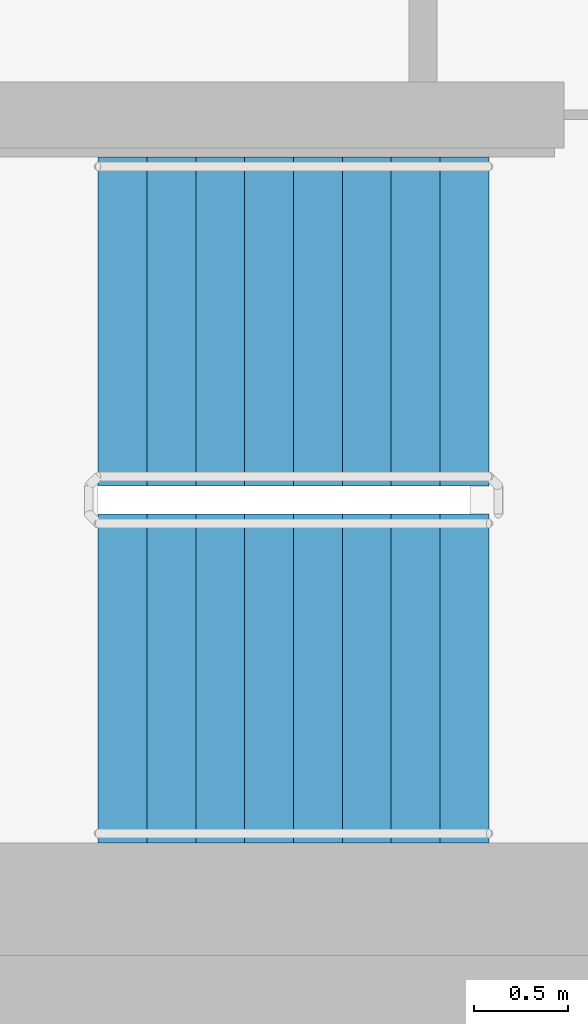
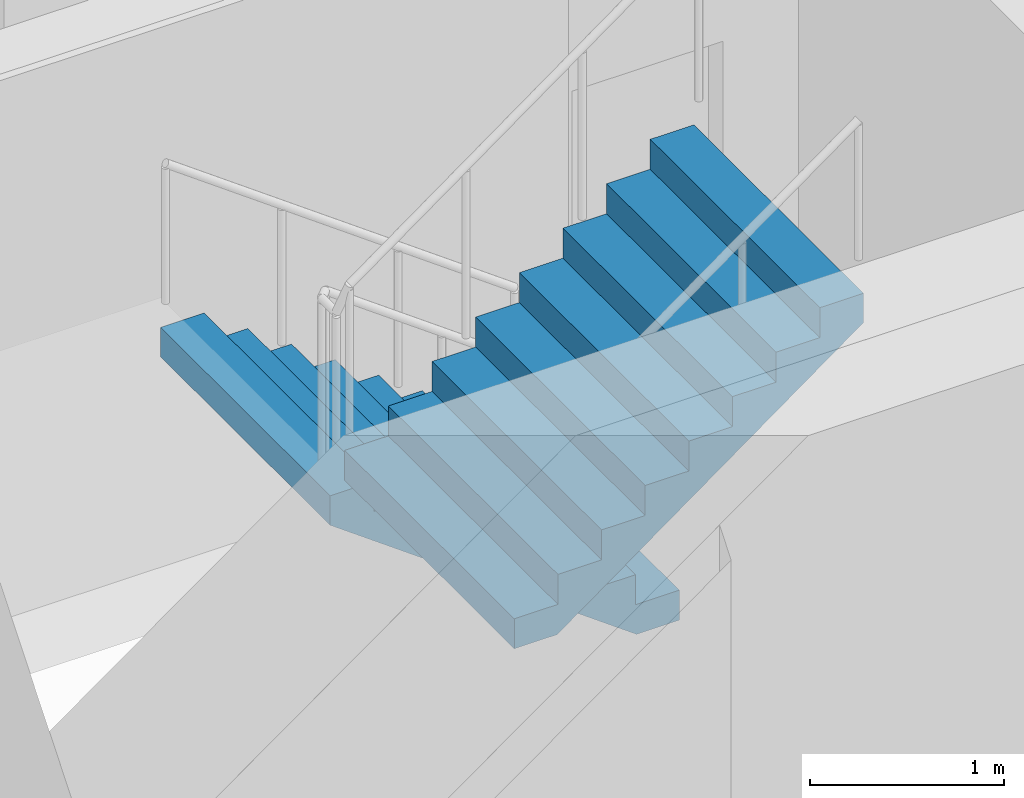
# One storey, part 12 of 18: 2 stair flights, 1 element without a shape of its own.
"""IFC4 building model written with IfcOpenShell, lengths in metres."""

from ifc_helpers import new_model, si_unit, direction, frame, origin, place, context, subcontext, project, spatial, faceted_brep, material, type_object, element, aggregate, save


model = new_model("IFC4")

# Units and contexts
model_context = context("Model", 3, precision=1e-05, world=origin(), true_north=direction((0.0, 1.0)))
body_context = subcontext(model_context, "Body", "Model", "MODEL_VIEW")
ifc_project = project(units=[si_unit("LENGTHUNIT", "METRE"), si_unit("AREAUNIT", "SQUARE_METRE"), si_unit("VOLUMEUNIT", "CUBIC_METRE"), si_unit("PLANEANGLEUNIT", "RADIAN"), si_unit("MASSUNIT", "GRAM", prefix="KILO")], contexts=[model_context])

# Site, building, storey
site_placement = place(None, origin())
site = spatial("IfcSite", under=ifc_project, at=site_placement, CompositionType="ELEMENT")
building_placement = place(site_placement, origin())
building = spatial("IfcBuilding", under=site, at=building_placement, Name="Ipe Terrace Towers", CompositionType="ELEMENT")
storey_placement = place(building_placement, frame((0.0, 0.0, 202.800048828125)))
storey = spatial("IfcBuildingStorey", under=building, at=storey_placement, Name="L56", CompositionType="ELEMENT", Elevation=202.800048828125)

# Stair, stair flights
ifc_material_1 = material(Name="Concrete C30/37", Category="concrete")
stair_type = type_object("IfcStairType", Name="Protected exit stair", PredefinedType="HALF_TURN_STAIR", material=ifc_material_1)
stair_placement = place(storey_placement, origin())
stair = element("IfcStair", 1, at=stair_placement, inside=storey, type_object=stair_type, Name="L56 Exit stair T1-C2", PredefinedType="HALF_TURN_STAIR")
ifc_material_2 = material(Name="Concrete C30/37", Category="concrete")
stair_flight_type = type_object("IfcStairFlightType", Name="Exit stair flight 1750", PredefinedType="STRAIGHT", material=ifc_material_2)
stair_flight_1_placement = place(storey_placement, frame((-45.699951171875, -2.77490234375, 0.0), z_axis=(0.0, 0.0, 1.0), x_axis=(-1.0, 0.0, 0.0)))
stair_flight_1 = element("IfcStairFlight", 2, at=stair_flight_1_placement, type_object=stair_flight_type, Name="T1-ST2 flight 1", NumberOfRisers=9, NumberOfTreads=8, PredefinedType="STRAIGHT", RiserHeight=0.188888889, TreadLength=0.26, context=body_context, shape_type="Brep", body=[
    faceted_brep([(0.255126953125, -0.875, 0.0), (2.080078125, -0.875, 1.325927734375), (2.080078125, -0.875, 1.51123046875), (1.820068359375, -0.875, 1.51123046875), (1.820068359375, -0.875, 1.322265625), (1.56005859375, -0.875, 1.322265625), (1.56005859375, -0.875, 1.13330078125), (1.300048828125, -0.875, 1.13330078125), (1.300048828125, -0.875, 0.9443359375), (1.0400390625, -0.875, 0.9443359375), (1.0400390625, -0.875, 0.755615234375), (0.780029296875, -0.875, 0.755615234375), (0.780029296875, -0.875, 0.566650390625), (0.52001953125, -0.875, 0.566650390625), (0.52001953125, -0.875, 0.377685546875), (0.260009765625, -0.875, 0.377685546875), (0.260009765625, -0.875, 0.18896484375), (0.0, -0.875, 0.18896484375), (0.0, -0.875, 0.0), (0.0, 0.875, 0.0), (0.0, 0.875, 0.18896484375), (0.260009765625, 0.875, 0.18896484375), (0.260009765625, 0.875, 0.377685546875), (0.52001953125, 0.875, 0.377685546875), (0.52001953125, 0.875, 0.566650390625), (0.780029296875, 0.875, 0.566650390625), (0.780029296875, 0.875, 0.755615234375), (1.0400390625, 0.875, 0.755615234375), (1.0400390625, 0.875, 0.9443359375), (1.300048828125, 0.875, 0.9443359375), (1.300048828125, 0.875, 1.13330078125), (1.56005859375, 0.875, 1.13330078125), (1.56005859375, 0.875, 1.322265625), (1.820068359375, 0.875, 1.322265625), (1.820068359375, 0.875, 1.51123046875), (2.080078125, 0.875, 1.51123046875), (2.080078125, 0.875, 1.325927734375), (0.255126953125, 0.875, 0.0), (0.0, -0.300048828125, 0.18896484375), (0.0, -0.1201171875, 0.18896484375), (0.0, -0.06005859375, 0.18896484375), (0.0, -0.030029296875, 0.18896484375), (0.0, -0.010009765625, 0.18896484375), (0.0, 0.0, 0.18896484375), (0.0, 0.010009765625, 0.18896484375), (0.0, 0.030029296875, 0.18896484375), (0.0, 0.06005859375, 0.18896484375), (0.0, 0.1201171875, 0.18896484375), (0.0, 0.300048828125, 0.18896484375), (0.0, 0.300048828125, 0.0), (0.0, 0.1201171875, 0.0), (0.0, 0.06005859375, 0.0), (0.0, 0.030029296875, 0.0), (0.0, 0.010009765625, 0.0), (0.0, 0.0, 0.0), (0.0, -0.010009765625, 0.0), (0.0, -0.030029296875, 0.0), (0.0, -0.06005859375, 0.0), (0.0, -0.1201171875, 0.0), (0.0, -0.300048828125, 0.0), (0.260009765625, -0.300048828125, 0.18896484375), (0.260009765625, -0.1201171875, 0.18896484375), (0.260009765625, -0.06005859375, 0.18896484375), (0.260009765625, -0.030029296875, 0.18896484375), (0.260009765625, -0.010009765625, 0.18896484375), (0.260009765625, 0.0, 0.18896484375), (0.260009765625, 0.010009765625, 0.18896484375), (0.260009765625, 0.030029296875, 0.18896484375), (0.260009765625, 0.06005859375, 0.18896484375), (0.260009765625, 0.1201171875, 0.18896484375), (0.260009765625, 0.300048828125, 0.18896484375), (0.260009765625, -0.300048828125, 0.377685546875), (0.260009765625, -0.1201171875, 0.377685546875), (0.260009765625, -0.06005859375, 0.377685546875), (0.260009765625, -0.030029296875, 0.377685546875), (0.260009765625, -0.010009765625, 0.377685546875), (0.260009765625, 0.0, 0.377685546875), (0.260009765625, 0.010009765625, 0.377685546875), (0.260009765625, 0.030029296875, 0.377685546875), (0.260009765625, 0.06005859375, 0.377685546875), (0.260009765625, 0.1201171875, 0.377685546875), (0.260009765625, 0.300048828125, 0.377685546875), (0.52001953125, -0.300048828125, 0.377685546875), (0.52001953125, -0.1201171875, 0.377685546875), (0.52001953125, -0.06005859375, 0.377685546875), (0.52001953125, -0.030029296875, 0.377685546875), (0.52001953125, -0.010009765625, 0.377685546875), (0.52001953125, 0.0, 0.377685546875), (0.52001953125, 0.010009765625, 0.377685546875), (0.52001953125, 0.030029296875, 0.377685546875), (0.52001953125, 0.06005859375, 0.377685546875), (0.52001953125, 0.1201171875, 0.377685546875), (0.52001953125, 0.300048828125, 0.377685546875), (0.52001953125, -0.300048828125, 0.566650390625), (0.52001953125, -0.1201171875, 0.566650390625), (0.52001953125, -0.06005859375, 0.566650390625), (0.52001953125, -0.030029296875, 0.566650390625), (0.52001953125, -0.010009765625, 0.566650390625), (0.52001953125, 0.0, 0.566650390625), (0.52001953125, 0.010009765625, 0.566650390625), (0.52001953125, 0.030029296875, 0.566650390625), (0.52001953125, 0.06005859375, 0.566650390625), (0.52001953125, 0.1201171875, 0.566650390625), (0.52001953125, 0.300048828125, 0.566650390625), (0.780029296875, -0.300048828125, 0.566650390625), (0.780029296875, -0.1201171875, 0.566650390625), (0.780029296875, -0.06005859375, 0.566650390625), (0.780029296875, -0.030029296875, 0.566650390625), (0.780029296875, -0.010009765625, 0.566650390625), (0.780029296875, 0.0, 0.566650390625), (0.780029296875, 0.010009765625, 0.566650390625), (0.780029296875, 0.030029296875, 0.566650390625), (0.780029296875, 0.06005859375, 0.566650390625), (0.780029296875, 0.1201171875, 0.566650390625), (0.780029296875, 0.300048828125, 0.566650390625), (0.780029296875, -0.300048828125, 0.755615234375), (0.780029296875, -0.1201171875, 0.755615234375), (0.780029296875, -0.06005859375, 0.755615234375), (0.780029296875, -0.030029296875, 0.755615234375), (0.780029296875, -0.010009765625, 0.755615234375), (0.780029296875, 0.0, 0.755615234375), (0.780029296875, 0.010009765625, 0.755615234375), (0.780029296875, 0.030029296875, 0.755615234375), (0.780029296875, 0.06005859375, 0.755615234375), (0.780029296875, 0.1201171875, 0.755615234375), (0.780029296875, 0.300048828125, 0.755615234375), (1.0400390625, -0.300048828125, 0.755615234375), (1.0400390625, -0.1201171875, 0.755615234375), (1.0400390625, -0.06005859375, 0.755615234375), (1.0400390625, -0.030029296875, 0.755615234375), (1.0400390625, -0.010009765625, 0.755615234375), (1.0400390625, 0.0, 0.755615234375), (1.0400390625, 0.010009765625, 0.755615234375), (1.0400390625, 0.030029296875, 0.755615234375), (1.0400390625, 0.06005859375, 0.755615234375), (1.0400390625, 0.1201171875, 0.755615234375), (1.0400390625, 0.300048828125, 0.755615234375), (1.0400390625, -0.300048828125, 0.9443359375), (1.0400390625, -0.1201171875, 0.9443359375), (1.0400390625, -0.06005859375, 0.9443359375), (1.0400390625, -0.030029296875, 0.9443359375), (1.0400390625, -0.010009765625, 0.9443359375), (1.0400390625, 0.0, 0.9443359375), (1.0400390625, 0.010009765625, 0.9443359375), (1.0400390625, 0.030029296875, 0.9443359375), (1.0400390625, 0.06005859375, 0.9443359375), (1.0400390625, 0.1201171875, 0.9443359375), (1.0400390625, 0.300048828125, 0.9443359375), (1.300048828125, -0.300048828125, 0.9443359375), (1.300048828125, -0.1201171875, 0.9443359375), (1.300048828125, -0.06005859375, 0.9443359375), (1.300048828125, -0.030029296875, 0.9443359375), (1.300048828125, -0.010009765625, 0.9443359375), (1.300048828125, 0.0, 0.9443359375), (1.300048828125, 0.010009765625, 0.9443359375), (1.300048828125, 0.030029296875, 0.9443359375), (1.300048828125, 0.06005859375, 0.9443359375), (1.300048828125, 0.1201171875, 0.9443359375), (1.300048828125, 0.300048828125, 0.9443359375), (1.300048828125, -0.300048828125, 1.13330078125), (1.300048828125, -0.1201171875, 1.13330078125), (1.300048828125, -0.06005859375, 1.13330078125), (1.300048828125, -0.030029296875, 1.13330078125), (1.300048828125, -0.010009765625, 1.13330078125), (1.300048828125, 0.0, 1.13330078125), (1.300048828125, 0.010009765625, 1.13330078125), (1.300048828125, 0.030029296875, 1.13330078125), (1.300048828125, 0.06005859375, 1.13330078125), (1.300048828125, 0.1201171875, 1.13330078125), (1.300048828125, 0.300048828125, 1.13330078125), (1.56005859375, -0.300048828125, 1.13330078125), (1.56005859375, -0.1201171875, 1.13330078125), (1.56005859375, -0.06005859375, 1.13330078125), (1.56005859375, -0.030029296875, 1.13330078125), (1.56005859375, -0.010009765625, 1.13330078125), (1.56005859375, 0.0, 1.13330078125), (1.56005859375, 0.010009765625, 1.13330078125), (1.56005859375, 0.030029296875, 1.13330078125), (1.56005859375, 0.06005859375, 1.13330078125), (1.56005859375, 0.1201171875, 1.13330078125), (1.56005859375, 0.300048828125, 1.13330078125), (1.56005859375, -0.300048828125, 1.322265625), (1.56005859375, -0.1201171875, 1.322265625), (1.56005859375, -0.06005859375, 1.322265625), (1.56005859375, -0.030029296875, 1.322265625), (1.56005859375, -0.010009765625, 1.322265625), (1.56005859375, 0.0, 1.322265625), (1.56005859375, 0.010009765625, 1.322265625), (1.56005859375, 0.030029296875, 1.322265625), (1.56005859375, 0.06005859375, 1.322265625), (1.56005859375, 0.1201171875, 1.322265625), (1.56005859375, 0.300048828125, 1.322265625), (1.820068359375, -0.300048828125, 1.322265625), (1.820068359375, -0.1201171875, 1.322265625), (1.820068359375, -0.06005859375, 1.322265625), (1.820068359375, -0.030029296875, 1.322265625), (1.820068359375, -0.010009765625, 1.322265625), (1.820068359375, 0.0, 1.322265625), (1.820068359375, 0.010009765625, 1.322265625), (1.820068359375, 0.030029296875, 1.322265625), (1.820068359375, 0.06005859375, 1.322265625), (1.820068359375, 0.1201171875, 1.322265625), (1.820068359375, 0.300048828125, 1.322265625), (1.820068359375, -0.300048828125, 1.51123046875), (1.820068359375, -0.1201171875, 1.51123046875), (1.820068359375, -0.06005859375, 1.51123046875), (1.820068359375, -0.030029296875, 1.51123046875), (1.820068359375, -0.010009765625, 1.51123046875), (1.820068359375, 0.0, 1.51123046875), (1.820068359375, 0.010009765625, 1.51123046875), (1.820068359375, 0.030029296875, 1.51123046875), (1.820068359375, 0.06005859375, 1.51123046875), (1.820068359375, 0.1201171875, 1.51123046875), (1.820068359375, 0.300048828125, 1.51123046875), (2.080078125, -0.300048828125, 1.51123046875), (2.080078125, -0.1201171875, 1.51123046875), (2.080078125, -0.06005859375, 1.51123046875), (2.080078125, -0.030029296875, 1.51123046875), (2.080078125, -0.010009765625, 1.51123046875), (2.080078125, 0.0, 1.51123046875), (2.080078125, 0.010009765625, 1.51123046875), (2.080078125, 0.030029296875, 1.51123046875), (2.080078125, 0.06005859375, 1.51123046875), (2.080078125, 0.1201171875, 1.51123046875), (2.080078125, 0.300048828125, 1.51123046875), (2.080078125, -0.300048828125, 1.325927734375), (2.080078125, -0.1201171875, 1.325927734375), (2.080078125, -0.06005859375, 1.325927734375), (2.080078125, -0.030029296875, 1.325927734375), (2.080078125, -0.010009765625, 1.325927734375), (2.080078125, 0.0, 1.325927734375), (2.080078125, 0.010009765625, 1.325927734375), (2.080078125, 0.030029296875, 1.325927734375), (2.080078125, 0.06005859375, 1.325927734375), (2.080078125, 0.1201171875, 1.325927734375), (2.080078125, 0.300048828125, 1.325927734375), (0.255126953125, -0.300048828125, 0.0), (0.255126953125, -0.1201171875, 0.0), (0.255126953125, -0.06005859375, 0.0), (0.255126953125, -0.030029296875, 0.0), (0.255126953125, -0.010009765625, 0.0), (0.255126953125, 0.0, 0.0), (0.255126953125, 0.010009765625, 0.0), (0.255126953125, 0.030029296875, 0.0), (0.255126953125, 0.06005859375, 0.0), (0.255126953125, 0.1201171875, 0.0), (0.255126953125, 0.300048828125, 0.0)], [[[0, 1, 2, 3, 4, 5, 6, 7, 8, 9, 10, 11, 12, 13, 14, 15, 16, 17, 18]], [[19, 20, 21, 22, 23, 24, 25, 26, 27, 28, 29, 30, 31, 32, 33, 34, 35, 36, 37]], [[17, 38, 39, 40, 41, 42, 43, 44, 45, 46, 47, 48, 20, 19, 49, 50, 51, 52, 53, 54, 55, 56, 57, 58, 59, 18]], [[16, 60, 61, 62, 63, 64, 65, 66, 67, 68, 69, 70, 21, 20, 48, 47, 46, 45, 44, 43, 42, 41, 40, 39, 38, 17]], [[15, 71, 72, 73, 74, 75, 76, 77, 78, 79, 80, 81, 22, 21, 70, 69, 68, 67, 66, 65, 64, 63, 62, 61, 60, 16]], [[14, 82, 83, 84, 85, 86, 87, 88, 89, 90, 91, 92, 23, 22, 81, 80, 79, 78, 77, 76, 75, 74, 73, 72, 71, 15]], [[13, 93, 94, 95, 96, 97, 98, 99, 100, 101, 102, 103, 24, 23, 92, 91, 90, 89, 88, 87, 86, 85, 84, 83, 82, 14]], [[12, 104, 105, 106, 107, 108, 109, 110, 111, 112, 113, 114, 25, 24, 103, 102, 101, 100, 99, 98, 97, 96, 95, 94, 93, 13]], [[11, 115, 116, 117, 118, 119, 120, 121, 122, 123, 124, 125, 26, 25, 114, 113, 112, 111, 110, 109, 108, 107, 106, 105, 104, 12]], [[10, 126, 127, 128, 129, 130, 131, 132, 133, 134, 135, 136, 27, 26, 125, 124, 123, 122, 121, 120, 119, 118, 117, 116, 115, 11]], [[9, 137, 138, 139, 140, 141, 142, 143, 144, 145, 146, 147, 28, 27, 136, 135, 134, 133, 132, 131, 130, 129, 128, 127, 126, 10]], [[8, 148, 149, 150, 151, 152, 153, 154, 155, 156, 157, 158, 29, 28, 147, 146, 145, 144, 143, 142, 141, 140, 139, 138, 137, 9]], [[7, 159, 160, 161, 162, 163, 164, 165, 166, 167, 168, 169, 30, 29, 158, 157, 156, 155, 154, 153, 152, 151, 150, 149, 148, 8]], [[6, 170, 171, 172, 173, 174, 175, 176, 177, 178, 179, 180, 31, 30, 169, 168, 167, 166, 165, 164, 163, 162, 161, 160, 159, 7]], [[5, 181, 182, 183, 184, 185, 186, 187, 188, 189, 190, 191, 32, 31, 180, 179, 178, 177, 176, 175, 174, 173, 172, 171, 170, 6]], [[4, 192, 193, 194, 195, 196, 197, 198, 199, 200, 201, 202, 33, 32, 191, 190, 189, 188, 187, 186, 185, 184, 183, 182, 181, 5]], [[3, 203, 204, 205, 206, 207, 208, 209, 210, 211, 212, 213, 34, 33, 202, 201, 200, 199, 198, 197, 196, 195, 194, 193, 192, 4]], [[2, 214, 215, 216, 217, 218, 219, 220, 221, 222, 223, 224, 35, 34, 213, 212, 211, 210, 209, 208, 207, 206, 205, 204, 203, 3]], [[1, 225, 226, 227, 228, 229, 230, 231, 232, 233, 234, 235, 36, 35, 224, 223, 222, 221, 220, 219, 218, 217, 216, 215, 214, 2]], [[0, 236, 237, 238, 239, 240, 241, 242, 243, 244, 245, 246, 37, 36, 235, 234, 233, 232, 231, 230, 229, 228, 227, 226, 225, 1]], [[18, 59, 58, 57, 56, 55, 54, 53, 52, 51, 50, 49, 19, 37, 246, 245, 244, 243, 242, 241, 240, 239, 238, 237, 236, 0]]]),
])
stair_flight_2_placement = place(storey_placement, frame((-47.780029296875, -4.675048828125, 1.699951171875), z_axis=(0.0, 0.0, 1.0), x_axis=(1.0, 0.0, 0.0)))
stair_flight_2 = element("IfcStairFlight", 3, at=stair_flight_2_placement, type_object=stair_flight_type, Name="T1-ST2 flight 2", NumberOfRisers=9, NumberOfTreads=8, PredefinedType="STRAIGHT", RiserHeight=0.188888889, TreadLength=0.26, context=body_context, shape_type="Brep", body=[
    faceted_brep([(0.255126953125, -0.875, 0.0), (2.080078125, -0.875, 1.325927734375), (2.080078125, -0.875, 1.51123046875), (1.820068359375, -0.875, 1.51123046875), (1.820068359375, -0.875, 1.322265625), (1.56005859375, -0.875, 1.322265625), (1.56005859375, -0.875, 1.13330078125), (1.300048828125, -0.875, 1.13330078125), (1.300048828125, -0.875, 0.9443359375), (1.0400390625, -0.875, 0.9443359375), (1.0400390625, -0.875, 0.755615234375), (0.780029296875, -0.875, 0.755615234375), (0.780029296875, -0.875, 0.566650390625), (0.52001953125, -0.875, 0.566650390625), (0.52001953125, -0.875, 0.377685546875), (0.260009765625, -0.875, 0.377685546875), (0.260009765625, -0.875, 0.18896484375), (0.0, -0.875, 0.18896484375), (0.0, -0.875, 0.0), (0.0, 0.875, 0.0), (0.0, 0.875, 0.18896484375), (0.260009765625, 0.875, 0.18896484375), (0.260009765625, 0.875, 0.377685546875), (0.52001953125, 0.875, 0.377685546875), (0.52001953125, 0.875, 0.566650390625), (0.780029296875, 0.875, 0.566650390625), (0.780029296875, 0.875, 0.755615234375), (1.0400390625, 0.875, 0.755615234375), (1.0400390625, 0.875, 0.9443359375), (1.300048828125, 0.875, 0.9443359375), (1.300048828125, 0.875, 1.13330078125), (1.56005859375, 0.875, 1.13330078125), (1.56005859375, 0.875, 1.322265625), (1.820068359375, 0.875, 1.322265625), (1.820068359375, 0.875, 1.51123046875), (2.080078125, 0.875, 1.51123046875), (2.080078125, 0.875, 1.325927734375), (0.255126953125, 0.875, 0.0), (0.0, -0.300048828125, 0.18896484375), (0.0, -0.1201171875, 0.18896484375), (0.0, -0.06005859375, 0.18896484375), (0.0, -0.030029296875, 0.18896484375), (0.0, -0.010009765625, 0.18896484375), (0.0, 0.0, 0.18896484375), (0.0, 0.010009765625, 0.18896484375), (0.0, 0.030029296875, 0.18896484375), (0.0, 0.06005859375, 0.18896484375), (0.0, 0.1201171875, 0.18896484375), (0.0, 0.300048828125, 0.18896484375), (0.0, 0.300048828125, 0.0), (0.0, 0.1201171875, 0.0), (0.0, 0.06005859375, 0.0), (0.0, 0.030029296875, 0.0), (0.0, 0.010009765625, 0.0), (0.0, 0.0, 0.0), (0.0, -0.010009765625, 0.0), (0.0, -0.030029296875, 0.0), (0.0, -0.06005859375, 0.0), (0.0, -0.1201171875, 0.0), (0.0, -0.300048828125, 0.0), (0.260009765625, -0.300048828125, 0.18896484375), (0.260009765625, -0.1201171875, 0.18896484375), (0.260009765625, -0.06005859375, 0.18896484375), (0.260009765625, -0.030029296875, 0.18896484375), (0.260009765625, -0.010009765625, 0.18896484375), (0.260009765625, 0.0, 0.18896484375), (0.260009765625, 0.010009765625, 0.18896484375), (0.260009765625, 0.030029296875, 0.18896484375), (0.260009765625, 0.06005859375, 0.18896484375), (0.260009765625, 0.1201171875, 0.18896484375), (0.260009765625, 0.300048828125, 0.18896484375), (0.260009765625, -0.300048828125, 0.377685546875), (0.260009765625, -0.1201171875, 0.377685546875), (0.260009765625, -0.06005859375, 0.377685546875), (0.260009765625, -0.030029296875, 0.377685546875), (0.260009765625, -0.010009765625, 0.377685546875), (0.260009765625, 0.0, 0.377685546875), (0.260009765625, 0.010009765625, 0.377685546875), (0.260009765625, 0.030029296875, 0.377685546875), (0.260009765625, 0.06005859375, 0.377685546875), (0.260009765625, 0.1201171875, 0.377685546875), (0.260009765625, 0.300048828125, 0.377685546875), (0.52001953125, -0.300048828125, 0.377685546875), (0.52001953125, -0.1201171875, 0.377685546875), (0.52001953125, -0.06005859375, 0.377685546875), (0.52001953125, -0.030029296875, 0.377685546875), (0.52001953125, -0.010009765625, 0.377685546875), (0.52001953125, 0.0, 0.377685546875), (0.52001953125, 0.010009765625, 0.377685546875), (0.52001953125, 0.030029296875, 0.377685546875), (0.52001953125, 0.06005859375, 0.377685546875), (0.52001953125, 0.1201171875, 0.377685546875), (0.52001953125, 0.300048828125, 0.377685546875), (0.52001953125, -0.300048828125, 0.566650390625), (0.52001953125, -0.1201171875, 0.566650390625), (0.52001953125, -0.06005859375, 0.566650390625), (0.52001953125, -0.030029296875, 0.566650390625), (0.52001953125, -0.010009765625, 0.566650390625), (0.52001953125, 0.0, 0.566650390625), (0.52001953125, 0.010009765625, 0.566650390625), (0.52001953125, 0.030029296875, 0.566650390625), (0.52001953125, 0.06005859375, 0.566650390625), (0.52001953125, 0.1201171875, 0.566650390625), (0.52001953125, 0.300048828125, 0.566650390625), (0.780029296875, -0.300048828125, 0.566650390625), (0.780029296875, -0.1201171875, 0.566650390625), (0.780029296875, -0.06005859375, 0.566650390625), (0.780029296875, -0.030029296875, 0.566650390625), (0.780029296875, -0.010009765625, 0.566650390625), (0.780029296875, 0.0, 0.566650390625), (0.780029296875, 0.010009765625, 0.566650390625), (0.780029296875, 0.030029296875, 0.566650390625), (0.780029296875, 0.06005859375, 0.566650390625), (0.780029296875, 0.1201171875, 0.566650390625), (0.780029296875, 0.300048828125, 0.566650390625), (0.780029296875, -0.300048828125, 0.755615234375), (0.780029296875, -0.1201171875, 0.755615234375), (0.780029296875, -0.06005859375, 0.755615234375), (0.780029296875, -0.030029296875, 0.755615234375), (0.780029296875, -0.010009765625, 0.755615234375), (0.780029296875, 0.0, 0.755615234375), (0.780029296875, 0.010009765625, 0.755615234375), (0.780029296875, 0.030029296875, 0.755615234375), (0.780029296875, 0.06005859375, 0.755615234375), (0.780029296875, 0.1201171875, 0.755615234375), (0.780029296875, 0.300048828125, 0.755615234375), (1.0400390625, -0.300048828125, 0.755615234375), (1.0400390625, -0.1201171875, 0.755615234375), (1.0400390625, -0.06005859375, 0.755615234375), (1.0400390625, -0.030029296875, 0.755615234375), (1.0400390625, -0.010009765625, 0.755615234375), (1.0400390625, 0.0, 0.755615234375), (1.0400390625, 0.010009765625, 0.755615234375), (1.0400390625, 0.030029296875, 0.755615234375), (1.0400390625, 0.06005859375, 0.755615234375), (1.0400390625, 0.1201171875, 0.755615234375), (1.0400390625, 0.300048828125, 0.755615234375), (1.0400390625, -0.300048828125, 0.9443359375), (1.0400390625, -0.1201171875, 0.9443359375), (1.0400390625, -0.06005859375, 0.9443359375), (1.0400390625, -0.030029296875, 0.9443359375), (1.0400390625, -0.010009765625, 0.9443359375), (1.0400390625, 0.0, 0.9443359375), (1.0400390625, 0.010009765625, 0.9443359375), (1.0400390625, 0.030029296875, 0.9443359375), (1.0400390625, 0.06005859375, 0.9443359375), (1.0400390625, 0.1201171875, 0.9443359375), (1.0400390625, 0.300048828125, 0.9443359375), (1.300048828125, -0.300048828125, 0.9443359375), (1.300048828125, -0.1201171875, 0.9443359375), (1.300048828125, -0.06005859375, 0.9443359375), (1.300048828125, -0.030029296875, 0.9443359375), (1.300048828125, -0.010009765625, 0.9443359375), (1.300048828125, 0.0, 0.9443359375), (1.300048828125, 0.010009765625, 0.9443359375), (1.300048828125, 0.030029296875, 0.9443359375), (1.300048828125, 0.06005859375, 0.9443359375), (1.300048828125, 0.1201171875, 0.9443359375), (1.300048828125, 0.300048828125, 0.9443359375), (1.300048828125, -0.300048828125, 1.13330078125), (1.300048828125, -0.1201171875, 1.13330078125), (1.300048828125, -0.06005859375, 1.13330078125), (1.300048828125, -0.030029296875, 1.13330078125), (1.300048828125, -0.010009765625, 1.13330078125), (1.300048828125, 0.0, 1.13330078125), (1.300048828125, 0.010009765625, 1.13330078125), (1.300048828125, 0.030029296875, 1.13330078125), (1.300048828125, 0.06005859375, 1.13330078125), (1.300048828125, 0.1201171875, 1.13330078125), (1.300048828125, 0.300048828125, 1.13330078125), (1.56005859375, -0.300048828125, 1.13330078125), (1.56005859375, -0.1201171875, 1.13330078125), (1.56005859375, -0.06005859375, 1.13330078125), (1.56005859375, -0.030029296875, 1.13330078125), (1.56005859375, -0.010009765625, 1.13330078125), (1.56005859375, 0.0, 1.13330078125), (1.56005859375, 0.010009765625, 1.13330078125), (1.56005859375, 0.030029296875, 1.13330078125), (1.56005859375, 0.06005859375, 1.13330078125), (1.56005859375, 0.1201171875, 1.13330078125), (1.56005859375, 0.300048828125, 1.13330078125), (1.56005859375, -0.300048828125, 1.322265625), (1.56005859375, -0.1201171875, 1.322265625), (1.56005859375, -0.06005859375, 1.322265625), (1.56005859375, -0.030029296875, 1.322265625), (1.56005859375, -0.010009765625, 1.322265625), (1.56005859375, 0.0, 1.322265625), (1.56005859375, 0.010009765625, 1.322265625), (1.56005859375, 0.030029296875, 1.322265625), (1.56005859375, 0.06005859375, 1.322265625), (1.56005859375, 0.1201171875, 1.322265625), (1.56005859375, 0.300048828125, 1.322265625), (1.820068359375, -0.300048828125, 1.322265625), (1.820068359375, -0.1201171875, 1.322265625), (1.820068359375, -0.06005859375, 1.322265625), (1.820068359375, -0.030029296875, 1.322265625), (1.820068359375, -0.010009765625, 1.322265625), (1.820068359375, 0.0, 1.322265625), (1.820068359375, 0.010009765625, 1.322265625), (1.820068359375, 0.030029296875, 1.322265625), (1.820068359375, 0.06005859375, 1.322265625), (1.820068359375, 0.1201171875, 1.322265625), (1.820068359375, 0.300048828125, 1.322265625), (1.820068359375, -0.300048828125, 1.51123046875), (1.820068359375, -0.1201171875, 1.51123046875), (1.820068359375, -0.06005859375, 1.51123046875), (1.820068359375, -0.030029296875, 1.51123046875), (1.820068359375, -0.010009765625, 1.51123046875), (1.820068359375, 0.0, 1.51123046875), (1.820068359375, 0.010009765625, 1.51123046875), (1.820068359375, 0.030029296875, 1.51123046875), (1.820068359375, 0.06005859375, 1.51123046875), (1.820068359375, 0.1201171875, 1.51123046875), (1.820068359375, 0.300048828125, 1.51123046875), (2.080078125, -0.300048828125, 1.51123046875), (2.080078125, -0.1201171875, 1.51123046875), (2.080078125, -0.06005859375, 1.51123046875), (2.080078125, -0.030029296875, 1.51123046875), (2.080078125, -0.010009765625, 1.51123046875), (2.080078125, 0.0, 1.51123046875), (2.080078125, 0.010009765625, 1.51123046875), (2.080078125, 0.030029296875, 1.51123046875), (2.080078125, 0.06005859375, 1.51123046875), (2.080078125, 0.1201171875, 1.51123046875), (2.080078125, 0.300048828125, 1.51123046875), (2.080078125, -0.300048828125, 1.325927734375), (2.080078125, -0.1201171875, 1.325927734375), (2.080078125, -0.06005859375, 1.325927734375), (2.080078125, -0.030029296875, 1.325927734375), (2.080078125, -0.010009765625, 1.325927734375), (2.080078125, 0.0, 1.325927734375), (2.080078125, 0.010009765625, 1.325927734375), (2.080078125, 0.030029296875, 1.325927734375), (2.080078125, 0.06005859375, 1.325927734375), (2.080078125, 0.1201171875, 1.325927734375), (2.080078125, 0.300048828125, 1.325927734375), (0.255126953125, -0.300048828125, 0.0), (0.255126953125, -0.1201171875, 0.0), (0.255126953125, -0.06005859375, 0.0), (0.255126953125, -0.030029296875, 0.0), (0.255126953125, -0.010009765625, 0.0), (0.255126953125, 0.0, 0.0), (0.255126953125, 0.010009765625, 0.0), (0.255126953125, 0.030029296875, 0.0), (0.255126953125, 0.06005859375, 0.0), (0.255126953125, 0.1201171875, 0.0), (0.255126953125, 0.300048828125, 0.0)], [[[0, 1, 2, 3, 4, 5, 6, 7, 8, 9, 10, 11, 12, 13, 14, 15, 16, 17, 18]], [[19, 20, 21, 22, 23, 24, 25, 26, 27, 28, 29, 30, 31, 32, 33, 34, 35, 36, 37]], [[17, 38, 39, 40, 41, 42, 43, 44, 45, 46, 47, 48, 20, 19, 49, 50, 51, 52, 53, 54, 55, 56, 57, 58, 59, 18]], [[16, 60, 61, 62, 63, 64, 65, 66, 67, 68, 69, 70, 21, 20, 48, 47, 46, 45, 44, 43, 42, 41, 40, 39, 38, 17]], [[15, 71, 72, 73, 74, 75, 76, 77, 78, 79, 80, 81, 22, 21, 70, 69, 68, 67, 66, 65, 64, 63, 62, 61, 60, 16]], [[14, 82, 83, 84, 85, 86, 87, 88, 89, 90, 91, 92, 23, 22, 81, 80, 79, 78, 77, 76, 75, 74, 73, 72, 71, 15]], [[13, 93, 94, 95, 96, 97, 98, 99, 100, 101, 102, 103, 24, 23, 92, 91, 90, 89, 88, 87, 86, 85, 84, 83, 82, 14]], [[12, 104, 105, 106, 107, 108, 109, 110, 111, 112, 113, 114, 25, 24, 103, 102, 101, 100, 99, 98, 97, 96, 95, 94, 93, 13]], [[11, 115, 116, 117, 118, 119, 120, 121, 122, 123, 124, 125, 26, 25, 114, 113, 112, 111, 110, 109, 108, 107, 106, 105, 104, 12]], [[10, 126, 127, 128, 129, 130, 131, 132, 133, 134, 135, 136, 27, 26, 125, 124, 123, 122, 121, 120, 119, 118, 117, 116, 115, 11]], [[9, 137, 138, 139, 140, 141, 142, 143, 144, 145, 146, 147, 28, 27, 136, 135, 134, 133, 132, 131, 130, 129, 128, 127, 126, 10]], [[8, 148, 149, 150, 151, 152, 153, 154, 155, 156, 157, 158, 29, 28, 147, 146, 145, 144, 143, 142, 141, 140, 139, 138, 137, 9]], [[7, 159, 160, 161, 162, 163, 164, 165, 166, 167, 168, 169, 30, 29, 158, 157, 156, 155, 154, 153, 152, 151, 150, 149, 148, 8]], [[6, 170, 171, 172, 173, 174, 175, 176, 177, 178, 179, 180, 31, 30, 169, 168, 167, 166, 165, 164, 163, 162, 161, 160, 159, 7]], [[5, 181, 182, 183, 184, 185, 186, 187, 188, 189, 190, 191, 32, 31, 180, 179, 178, 177, 176, 175, 174, 173, 172, 171, 170, 6]], [[4, 192, 193, 194, 195, 196, 197, 198, 199, 200, 201, 202, 33, 32, 191, 190, 189, 188, 187, 186, 185, 184, 183, 182, 181, 5]], [[3, 203, 204, 205, 206, 207, 208, 209, 210, 211, 212, 213, 34, 33, 202, 201, 200, 199, 198, 197, 196, 195, 194, 193, 192, 4]], [[2, 214, 215, 216, 217, 218, 219, 220, 221, 222, 223, 224, 35, 34, 213, 212, 211, 210, 209, 208, 207, 206, 205, 204, 203, 3]], [[1, 225, 226, 227, 228, 229, 230, 231, 232, 233, 234, 235, 36, 35, 224, 223, 222, 221, 220, 219, 218, 217, 216, 215, 214, 2]], [[0, 236, 237, 238, 239, 240, 241, 242, 243, 244, 245, 246, 37, 36, 235, 234, 233, 232, 231, 230, 229, 228, 227, 226, 225, 1]], [[18, 59, 58, 57, 56, 55, 54, 53, 52, 51, 50, 49, 19, 37, 246, 245, 244, 243, 242, 241, 240, 239, 238, 237, 236, 0]]]),
])
aggregate(stair, [stair_flight_1, stair_flight_2])

save(model, "model.ifc")
